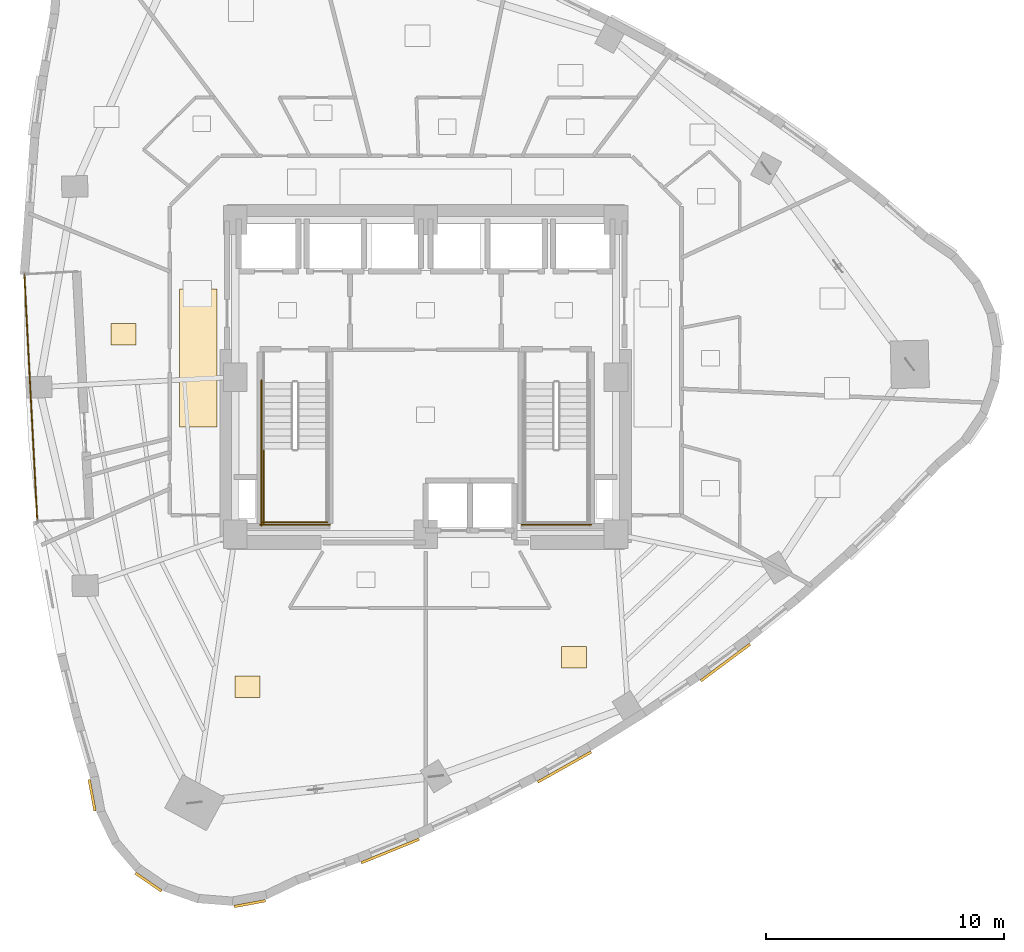
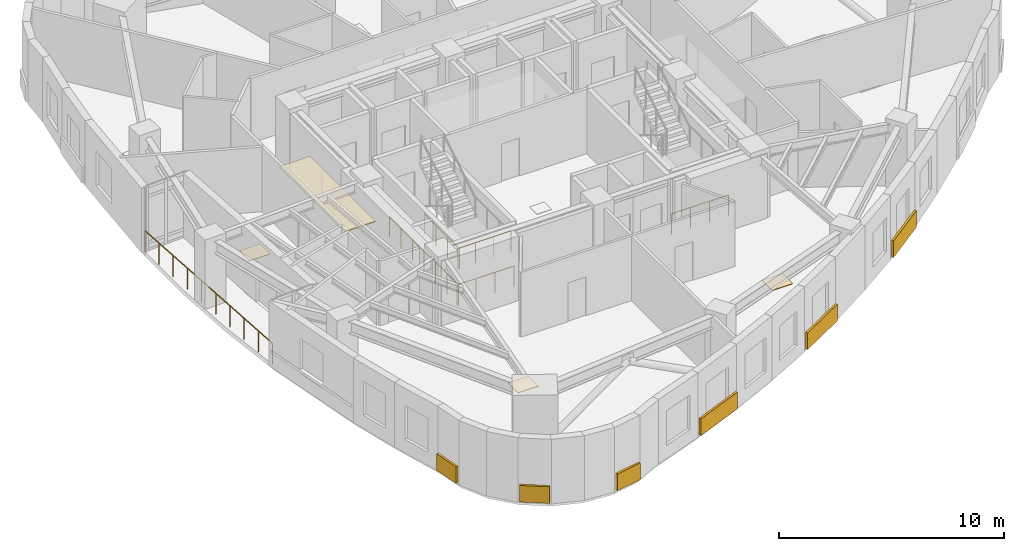
# One storey, part 11 of 13: 10 coverings, 6 railings.
"""IFC4 building model written with IfcOpenShell, lengths in metres."""

from ifc_helpers import new_model, si_unit, direction, frame, origin, origin_2d, place, context, subcontext, project, spatial, rectangle, circle, extrude, material, layer, layer_set, type_object, element, save


model = new_model("IFC4")

# Units and contexts
model_context = context("Model", 3, precision=1e-05, world=origin(), true_north=direction((0.0, 1.0)))
body_context = subcontext(model_context, "Body", "Model", "MODEL_VIEW")
ifc_project = project(units=[si_unit("LENGTHUNIT", "METRE"), si_unit("AREAUNIT", "SQUARE_METRE"), si_unit("VOLUMEUNIT", "CUBIC_METRE"), si_unit("PLANEANGLEUNIT", "RADIAN"), si_unit("MASSUNIT", "GRAM", prefix="KILO")], contexts=[model_context])

# Site, building, storey
site_placement = place(None, origin())
site = spatial("IfcSite", under=ifc_project, at=site_placement, CompositionType="ELEMENT")
building_placement = place(site_placement, origin())
building = spatial("IfcBuilding", under=site, at=building_placement, Name="Ndelora Gate Hotel", CompositionType="ELEMENT")
storey_placement = place(building_placement, frame((0.0, 0.0, 134.75)))
storey = spatial("IfcBuildingStorey", under=building, at=storey_placement, Name="L33", CompositionType="ELEMENT", Elevation=134.75)

# Coverings
ifc_material_1 = material(Name="Perforated Acoustic Gypsum Board", Category="gypsum")
ifc_layer_1 = layer(ifc_material_1, 0.054931640625)
ifc_layer_set_1 = layer_set([ifc_layer_1], Name="Perforated Acoustic Gypsum Board")
covering_type_1 = type_object("IfcCoveringType", Name="COV-CEIL-AC60", PredefinedType="CEILING", material=ifc_layer_set_1)
covering_1_placement = place(storey_placement, frame((-9.550048828125, 0.800048828125, 2.65234375), z_axis=(0.0, 0.0, 1.0), x_axis=(1.0, 0.0, 0.0)))
element("IfcCovering", 1, at=covering_1_placement, inside=storey, type_object=covering_type_1, Name="L33 Guest Corridor Acoustic Ceiling W", PredefinedType="CEILING", context=body_context, shape_type="SweptSolid", body=[
    extrude(rectangle(XDim=1.580078125, YDim=5.800048828125, at=origin_2d()), origin(), (0.0, 0.0, 1.0), 0.054931640625),
])
ifc_material_2 = material(Name="Terracotta Fired Clay Brick Slip Cladding", Category="masonry")
ifc_layer_2 = layer(ifc_material_2, 0.110107421875)
ifc_layer_set_2 = layer_set([ifc_layer_2], Name="Terracotta Fired Clay Brick Slip Cladding")
covering_type_2 = type_object("IfcCoveringType", Name="COV-CLAD-BRK", PredefinedType="CLADDING", material=ifc_layer_set_2)
for number, where, z_axis, x_axis, name in (
    (2, (-14.017333984375, -17.57373046875, 0.10009765625), (0.0, 0.0, 1.0), (-0.182235525492, 0.983254907564, 0.0), "L33 Rounded-Corner Brick Cladding Band 19"),
    (3, (-11.647216796875, -21.2236328125, 0.10009765625), (0.0, 0.0, 1.0), (-0.824126188622, 0.566406236925, 0.0), "L33 Rounded-Corner Brick Cladding Band 22"),
    (4, (-7.389892578125, -22.128662109375, 0.10009765625), (0.0, 0.0, 1.0), (0.983254907564, 0.182235525492, 0.0), "L33 Rounded-Corner Brick Cladding Band 25"),
):
    element("IfcCovering", number, at=place(storey_placement, frame(where, z_axis=z_axis, x_axis=x_axis)), inside=storey, type_object=covering_type_2, Name=name, PredefinedType="CLADDING", context=body_context, shape_type="SweptSolid", body=[
        extrude(rectangle(XDim=1.3359375, YDim=0.110107421875, at=origin_2d()), origin(), (0.0, 0.0, 1.0), 0.89990234375),
    ])
covering_2_placement = place(storey_placement, frame((-1.49169921875, -19.91796875, 0.10009765625), z_axis=(0.0, 0.0, 1.0), x_axis=(0.926068294858, 0.377355950342, 0.0)))
element("IfcCovering", 5, at=covering_2_placement, inside=storey, type_object=covering_type_2, Name="L33 Rounded-Corner Brick Cladding Band 28", PredefinedType="CLADDING", context=body_context, shape_type="SweptSolid", body=[
    extrude(rectangle(XDim=2.6279296875, YDim=0.110107421875, at=origin_2d()), origin(), (0.0, 0.0, 1.0), 0.89990234375),
])
for number, where, z_axis, x_axis, name in (
    (6, (5.833251953125, -16.3876953125, 0.10009765625), (0.0, 0.0, 1.0), (0.871641873673, 0.490143289315, 0.0), "L33 Rounded-Corner Brick Cladding Band 31"),
    (7, (12.598388671875, -11.994384765625, 0.10009765625), (0.0, 0.0, 1.0), (0.802296865209, 0.596925238263, 0.0), "L33 Rounded-Corner Brick Cladding Band 34"),
):
    element("IfcCovering", number, at=place(storey_placement, frame(where, z_axis=z_axis, x_axis=x_axis)), inside=storey, type_object=covering_type_2, Name=name, PredefinedType="CLADDING", context=body_context, shape_type="SweptSolid", body=[
        extrude(rectangle(XDim=2.583984375, YDim=0.110107421875, at=origin_2d()), origin(), (0.0, 0.0, 1.0), 0.89990234375),
    ])
ifc_material_3 = material(Name="Engineered Highland Oak Parquet", Category="wood")
ifc_layer_3 = layer(ifc_material_3, 0.030029296875)
ifc_layer_set_3 = layer_set([ifc_layer_3], Name="Engineered Highland Oak Parquet")
covering_type_3 = type_object("IfcCoveringType", Name="COV-FLR-PARQ", PredefinedType="FLOORING", material=ifc_layer_set_3)
for number, where, z_axis, x_axis, name in (
    (8, (-7.48681640625, -13.008056640625, 0.0), (0.0, 0.0, 1.0), (1.0, 0.0, 0.0), "L33 Club Twin Corner Suite 3601 Oak Parquet Flooring"),
    (9, (6.237548828125, -11.77490234375, 0.0), (0.0, 0.0, 1.0), (1.0, 0.0, 0.0), "L33 Club King Corner Suite 3602 Oak Parquet Flooring"),
    (10, (-12.6943359375, 1.801025390625, 0.0), (0.0, 0.0, 1.0), (1.0, 0.0, 0.0), "L33 Sky Garden Tea Dining Room Oak Parquet Flooring"),
):
    element("IfcCovering", number, at=place(storey_placement, frame(where, z_axis=z_axis, x_axis=x_axis)), inside=storey, type_object=covering_type_3, Name=name, PredefinedType="FLOORING", context=body_context, shape_type="SweptSolid", body=[
        extrude(rectangle(XDim=1.050048828125, YDim=0.89990234375, at=origin_2d()), origin(), (0.0, 0.0, 1.0), 0.030029296875),
    ])

# Railings
ifc_material_4 = material(Name="Laminated Safety Glass and Bronze Top Rail", Category="glass")
ifc_layer_4 = layer(ifc_material_4, 0.070068359375)
ifc_layer_set_4 = layer_set([ifc_layer_4], Name="Laminated Safety Glass and Bronze Top Rail")
railing_type_1 = type_object("IfcRailingType", Name="RL-BAL-1150", PredefinedType="BALUSTRADE", material=ifc_layer_set_4)
railing_1_placement = place(storey_placement, frame((-16.864990234375, 4.3232421875, 0.0)))
element("IfcRailing", 11, at=railing_1_placement, inside=storey, type_object=railing_type_1, Name="L33 Sky-Garden Loggia Terrace Balustrade", PredefinedType="BALUSTRADE", context=body_context, shape_type="SweptSolid", body=[
    extrude(circle(Radius=0.02392578125, at=origin_2d()), frame((0.0, 0.0, 1.1357421875), z_axis=(0.052325961458, -0.998630058509, 0.0), x_axis=(0.998630058509, 0.052325961458, 0.0)), (0.0, 0.0, 1.0), 10.39990234375),
    extrude(circle(Radius=0.02099609375, at=origin_2d()), origin(), (0.0, 0.0, 1.0), 1.11181640625),
    extrude(circle(Radius=0.02099609375, at=origin_2d()), frame((0.060546875, -1.154052734375, 0.0)), (0.0, 0.0, 1.0), 1.11181640625),
    extrude(circle(Radius=0.02099609375, at=origin_2d()), frame((0.120849609375, -2.307861328125, 0.0)), (0.0, 0.0, 1.0), 1.11181640625),
    extrude(circle(Radius=0.02099609375, at=origin_2d()), frame((0.181396484375, -3.4619140625, 0.0)), (0.0, 0.0, 1.0), 1.11181640625),
    extrude(circle(Radius=0.02099609375, at=origin_2d()), frame((0.241943359375, -4.615966796875, 0.0)), (0.0, 0.0, 1.0), 1.11181640625),
    extrude(circle(Radius=0.02099609375, at=origin_2d()), frame((0.30224609375, -5.769775390625, 0.0)), (0.0, 0.0, 1.0), 1.11181640625),
    extrude(circle(Radius=0.02099609375, at=origin_2d()), frame((0.36279296875, -6.923828125, 0.0)), (0.0, 0.0, 1.0), 1.11181640625),
    extrude(circle(Radius=0.02099609375, at=origin_2d()), frame((0.42333984375, -8.077880859375, 0.0)), (0.0, 0.0, 1.0), 1.11181640625),
    extrude(circle(Radius=0.02099609375, at=origin_2d()), frame((0.483642578125, -9.231689453125, 0.0)), (0.0, 0.0, 1.0), 1.11181640625),
    extrude(circle(Radius=0.02099609375, at=origin_2d()), frame((0.544189453125, -10.3857421875, 0.0)), (0.0, 0.0, 1.0), 1.11181640625),
])
ifc_material_5 = material(Name="Painted Galvanized Steel Balustrade", Category="steel")
ifc_layer_5 = layer(ifc_material_5, 0.06005859375)
ifc_layer_set_5 = layer_set([ifc_layer_5], Name="Painted Galvanized Steel Balustrade")
railing_type_2 = type_object("IfcRailingType", Name="RL-STAIR-GD", PredefinedType="GUARDRAIL", material=ifc_layer_set_5)
railing_2_placement = place(storey_placement, frame((-6.800048828125, -3.030029296875, 1.875)))
element("IfcRailing", 12, at=railing_2_placement, inside=storey, type_object=railing_type_2, Name="L33 ST4 stair guard 3", PredefinedType="GUARDRAIL", context=body_context, shape_type="SweptSolid", body=[
    extrude(circle(Radius=0.02392578125, at=origin_2d()), frame((0.0, 0.0, 1.10595703125), z_axis=(0.0, -1.0, 0.0), x_axis=(1.0, 0.0, 0.0)), (0.0, 0.0, 1.0), 3.119873046875),
    extrude(circle(Radius=0.02099609375, at=origin_2d()), origin(), (0.0, 0.0, 1.0), 1.081787109375),
    extrude(circle(Radius=0.02099609375, at=origin_2d()), frame((0.0, -1.0400390625, 0.0)), (0.0, 0.0, 1.0), 1.081787109375),
    extrude(circle(Radius=0.02099609375, at=origin_2d()), frame((0.0, -2.079833984375, 0.0)), (0.0, 0.0, 1.0), 1.081787109375),
    extrude(circle(Radius=0.02099609375, at=origin_2d()), frame((0.0, -3.119873046875, 0.0)), (0.0, 0.0, 1.0), 1.081787109375),
])
railing_3_placement = place(storey_placement, frame((-6.85009765625, -6.10009765625, 1.875)))
element("IfcRailing", 13, at=railing_3_placement, inside=storey, type_object=railing_type_2, Name="L33 ST4 stair guard 5", PredefinedType="GUARDRAIL", context=body_context, shape_type="SweptSolid", body=[
    extrude(circle(Radius=0.02392578125, at=origin_2d()), frame((0.0, 0.0, 1.10595703125), z_axis=(1.0, 0.0, 0.0), x_axis=(0.0, 1.0, 0.0)), (0.0, 0.0, 1.0), 2.72021484375),
    extrude(circle(Radius=0.02099609375, at=origin_2d()), origin(), (0.0, 0.0, 1.0), 1.081787109375),
    extrude(circle(Radius=0.02099609375, at=origin_2d()), frame((0.90673828125, 0.0, 0.0)), (0.0, 0.0, 1.0), 1.081787109375),
    extrude(circle(Radius=0.02099609375, at=origin_2d()), frame((1.8134765625, 0.0, 0.0)), (0.0, 0.0, 1.0), 1.081787109375),
    extrude(circle(Radius=0.02099609375, at=origin_2d()), frame((2.72021484375, 0.0, 0.0)), (0.0, 0.0, 1.0), 1.081787109375),
])
railing_4_placement = place(storey_placement, frame((-6.89990234375, -0.1298828125, 0.0)))
element("IfcRailing", 14, at=railing_4_placement, inside=storey, type_object=railing_type_2, Name="L33 ST4 stair guard 10", PredefinedType="GUARDRAIL", context=body_context, shape_type="SweptSolid", body=[
    extrude(circle(Radius=0.02392578125, at=origin_2d()), frame((0.0, 0.0, 1.10595703125), z_axis=(0.0, -1.0, 0.0), x_axis=(1.0, 0.0, 0.0)), (0.0, 0.0, 1.0), 6.1201171875),
    extrude(circle(Radius=0.02099609375, at=origin_2d()), origin(), (0.0, 0.0, 1.0), 1.081787109375),
    extrude(circle(Radius=0.02099609375, at=origin_2d()), frame((0.0, -1.02001953125, 0.0)), (0.0, 0.0, 1.0), 1.081787109375),
    extrude(circle(Radius=0.02099609375, at=origin_2d()), frame((0.0, -2.0400390625, 0.0)), (0.0, 0.0, 1.0), 1.081787109375),
    extrude(circle(Radius=0.02099609375, at=origin_2d()), frame((0.0, -3.06005859375, 0.0)), (0.0, 0.0, 1.0), 1.081787109375),
    extrude(circle(Radius=0.02099609375, at=origin_2d()), frame((0.0, -4.080078125, 0.0)), (0.0, 0.0, 1.0), 1.081787109375),
    extrude(circle(Radius=0.02099609375, at=origin_2d()), frame((0.0, -5.10009765625, 0.0)), (0.0, 0.0, 1.0), 1.081787109375),
    extrude(circle(Radius=0.02099609375, at=origin_2d()), frame((0.0, -6.1201171875, 0.0)), (0.0, 0.0, 1.0), 1.081787109375),
])
for number, where, name in (
    (15, (-6.949951171875, -6.199951171875, 0.0), "L33 ST4 stair guard 12"),
    (16, (4.030029296875, -6.199951171875, 0.0), "L33 ST5 stair guard 12"),
):
    element("IfcRailing", number, at=place(storey_placement, frame(where)), inside=storey, type_object=railing_type_2, Name=name, PredefinedType="GUARDRAIL", context=body_context, shape_type="SweptSolid", body=[
        extrude(circle(Radius=0.02392578125, at=origin_2d()), frame((0.0, 0.0, 1.10595703125), z_axis=(1.0, 0.0, 0.0), x_axis=(0.0, 1.0, 0.0)), (0.0, 0.0, 1.0), 2.919921875),
        extrude(circle(Radius=0.02099609375, at=origin_2d()), origin(), (0.0, 0.0, 1.0), 1.081787109375),
        extrude(circle(Radius=0.02099609375, at=origin_2d()), frame((0.973388671875, 0.0, 0.0)), (0.0, 0.0, 1.0), 1.081787109375),
        extrude(circle(Radius=0.02099609375, at=origin_2d()), frame((1.946533203125, 0.0, 0.0)), (0.0, 0.0, 1.0), 1.081787109375),
        extrude(circle(Radius=0.02099609375, at=origin_2d()), frame((2.919921875, 0.0, 0.0)), (0.0, 0.0, 1.0), 1.081787109375),
    ])

save(model, "model.ifc")
